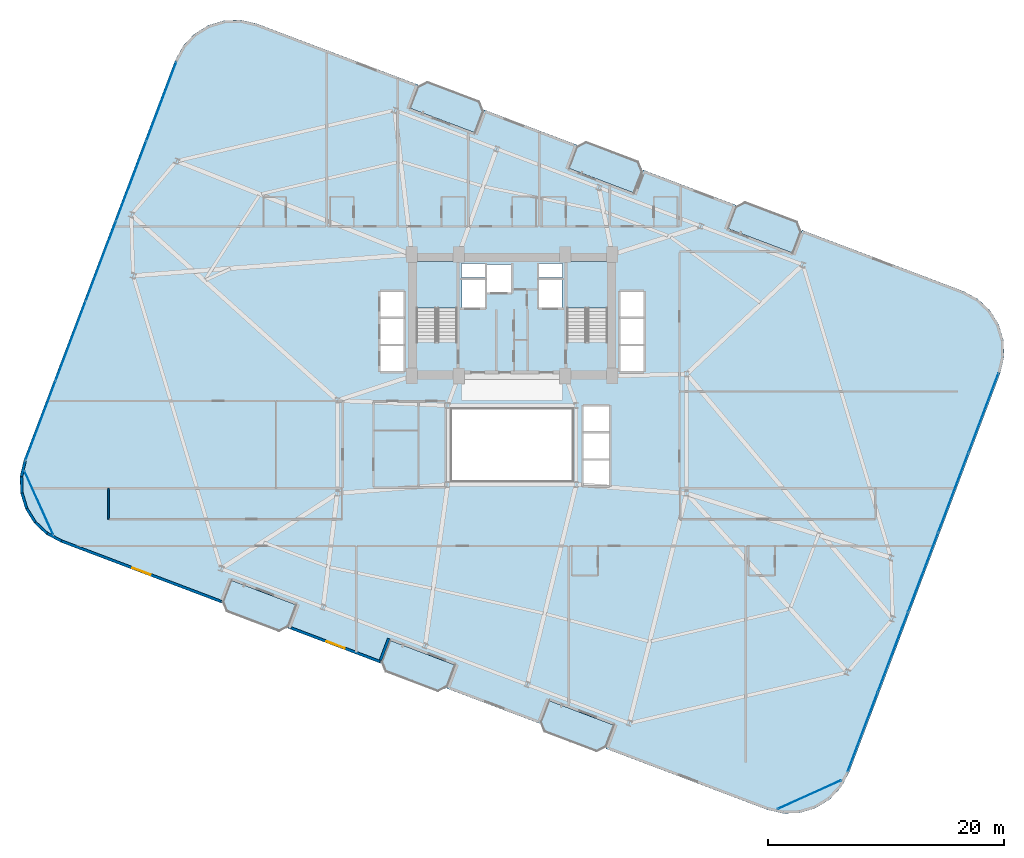
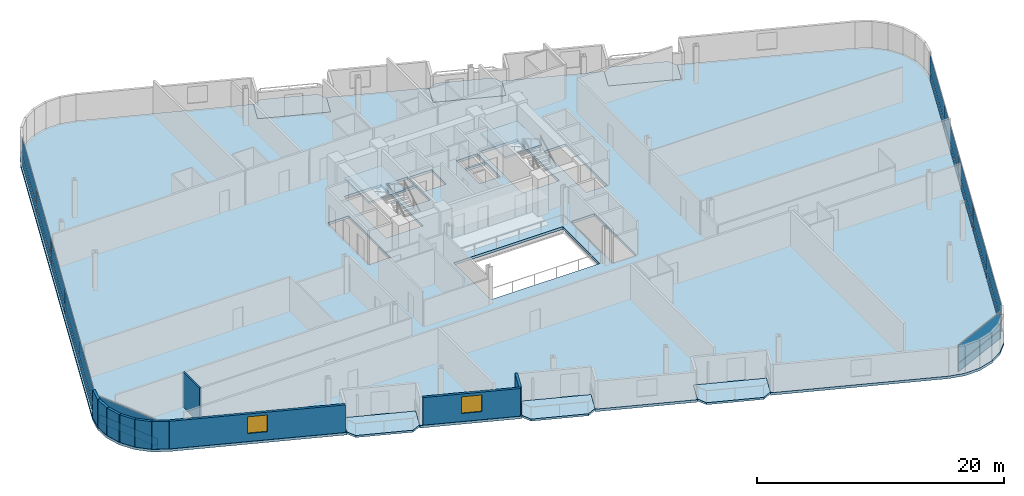
# One storey, part 17 of 25: 24 plates, 10 walls, 9 slabs, 2 windows, 2 openings, 6 elements without a shape of their own.
"""IFC4 building model written with IfcOpenShell, lengths in metres."""

from ifc_helpers import new_model, si_unit, direction, frame, frame_2d, origin, origin_2d, place, context, subcontext, project, spatial, polyline, rectangle, outline, extrude, source, transform, mapped, material, layer, layer_set, type_object, element, fill, aggregate, save


model = new_model("IFC4")

# Units and contexts
model_context = context("Model", 3, precision=1e-05, world=origin(), true_north=direction((0.0, 1.0)))
body_context = subcontext(model_context, "Body", "Model", "MODEL_VIEW")
ifc_project = project(units=[si_unit("LENGTHUNIT", "METRE"), si_unit("AREAUNIT", "SQUARE_METRE"), si_unit("VOLUMEUNIT", "CUBIC_METRE"), si_unit("PLANEANGLEUNIT", "RADIAN"), si_unit("MASSUNIT", "GRAM", prefix="KILO")], contexts=[model_context])

# Site, building, storey
site_placement = place(None, origin())
site = spatial("IfcSite", under=ifc_project, at=site_placement, CompositionType="ELEMENT")
building_placement = place(site_placement, origin())
building = spatial("IfcBuilding", under=site, at=building_placement, Name="Varnelok Gate Tower", CompositionType="ELEMENT")
storey_placement = place(building_placement, frame((0.0, 0.0, 91.0)))
storey = spatial("IfcBuildingStorey", under=building, at=storey_placement, Name="L22", CompositionType="ELEMENT", Elevation=91.0)

# Slabs
ifc_material_1 = material(Name="Concrete C45/55", Category="concrete")
ifc_layer_1 = layer(ifc_material_1, 0.199951171875)
ifc_layer_set_1 = layer_set([ifc_layer_1], Name="Concrete C45/55")
slab_type_1 = type_object("IfcSlabType", Name="SLB-BALC-200", PredefinedType="FLOOR", material=ifc_layer_set_1)
slab_1_placement = place(storey_placement, frame((0.0, 0.0, -0.199951171875)))
element("IfcSlab", 1, at=slab_1_placement, inside=storey, type_object=slab_type_1, Name="L22 South Hollow Balcony 1", PredefinedType="FLOOR", context=body_context, shape_type="SweptSolid", body=[
    extrude(outline(polyline([(14.64208984375, 9.576416015625), (15.019775390625, 8.738525390625), (19.415283203125, 7.074462890625), (20.25341796875, 7.4521484375), (20.96142578125, 9.322509765625), (15.35009765625, 11.447021484375), (14.64208984375, 9.576416015625)])), origin(), (0.0, 0.0, 1.0), 0.199951171875),
])
slab_2_placement = place(storey_placement, frame((0.0, 0.0, -0.199951171875)))
element("IfcSlab", 2, at=slab_2_placement, inside=storey, type_object=slab_type_1, Name="L22 South Hollow Balcony 2", PredefinedType="FLOOR", context=body_context, shape_type="SweptSolid", body=[
    extrude(outline(polyline([(28.109375, 4.47802734375), (28.487060546875, 3.639892578125), (32.882568359375, 1.975830078125), (33.720703125, 2.353515625), (34.4287109375, 4.22412109375), (28.8173828125, 6.348388671875), (28.109375, 4.47802734375)])), origin(), (0.0, 0.0, 1.0), 0.199951171875),
])
slab_3_placement = place(storey_placement, frame((0.0, 0.0, -0.199951171875)))
element("IfcSlab", 3, at=slab_3_placement, inside=storey, type_object=slab_type_1, Name="L22 South Hollow Balcony 3", PredefinedType="FLOOR", context=body_context, shape_type="SweptSolid", body=[
    extrude(outline(polyline([(41.576416015625, -0.62060546875), (41.9541015625, -1.45849609375), (46.349853515625, -3.12255859375), (47.187744140625, -2.744873046875), (47.89599609375, -0.87451171875), (42.28466796875, 1.25), (41.576416015625, -0.62060546875)])), origin(), (0.0, 0.0, 1.0), 0.199951171875),
])
slab_4_placement = place(storey_placement, frame((0.0, 0.0, -0.199951171875)))
element("IfcSlab", 4, at=slab_4_placement, inside=storey, type_object=slab_type_1, Name="L22 North Hollow Balcony 1", PredefinedType="FLOOR", context=body_context, shape_type="SweptSolid", body=[
    extrude(outline(polyline([(30.504150390625, 51.474365234375), (36.115478515625, 49.35009765625), (36.823486328125, 51.220458984375), (36.44580078125, 52.05859375), (32.05029296875, 53.72265625), (31.212158203125, 53.344970703125), (30.504150390625, 51.474365234375)])), origin(), (0.0, 0.0, 1.0), 0.199951171875),
])
slab_5_placement = place(storey_placement, frame((0.0, 0.0, -0.199951171875)))
element("IfcSlab", 5, at=slab_5_placement, inside=storey, type_object=slab_type_1, Name="L22 North Hollow Balcony 2", PredefinedType="FLOOR", context=body_context, shape_type="SweptSolid", body=[
    extrude(outline(polyline([(43.97119140625, 46.3759765625), (49.58251953125, 44.251708984375), (50.290771484375, 46.1220703125), (49.9130859375, 46.9599609375), (45.517333984375, 48.6240234375), (44.679443359375, 48.246337890625), (43.97119140625, 46.3759765625)])), origin(), (0.0, 0.0, 1.0), 0.199951171875),
])
slab_6_placement = place(storey_placement, frame((0.0, 0.0, -0.199951171875)))
element("IfcSlab", 6, at=slab_6_placement, inside=storey, type_object=slab_type_1, Name="L22 North Hollow Balcony 3", PredefinedType="FLOOR", context=body_context, shape_type="SweptSolid", body=[
    extrude(outline(polyline([(57.4384765625, 41.27734375), (63.0498046875, 39.153076171875), (63.7578125, 41.0234375), (63.380126953125, 41.861572265625), (58.984619140625, 43.525634765625), (58.146484375, 43.14794921875), (57.4384765625, 41.27734375)])), origin(), (0.0, 0.0, 1.0), 0.199951171875),
])

# Stair, slab
ifc_material_2 = material(Name="Concrete C50/60", Category="concrete")
stair_type = type_object("IfcStairType", Name="STR-CORE-1650", PredefinedType="HALF_TURN_STAIR", material=ifc_material_2)
stair_1_placement = place(storey_placement, origin())
stair_1 = element("IfcStair", 7, at=stair_1_placement, inside=storey, type_object=stair_type, Name="L22 Exit Stair ST-1", PredefinedType="HALF_TURN_STAIR")
ifc_layer_2 = layer(ifc_material_1, 0.199951171875)
ifc_layer_set_2 = layer_set([ifc_layer_2], Name="Concrete C45/55")
slab_type_2 = type_object("IfcSlabType", Name="SLB-LAND-200", PredefinedType="LANDING", material=ifc_layer_set_2)
slab_7_placement = place(storey_placement, frame((0.0, 0.0, 1.64990234375)))
slab_7 = element("IfcSlab", 8, at=slab_7_placement, type_object=slab_type_2, Name="ST-1 landing 1", PredefinedType="LANDING", context=body_context, shape_type="SweptSolid", body=[
    extrude(outline(polyline([(34.550048828125, 34.5), (34.550048828125, 38.449951171875), (31.10009765625, 38.449951171875), (31.10009765625, 34.5), (34.550048828125, 34.5)])), origin(), (0.0, 0.0, 1.0), 0.2001953125),
])
aggregate(stair_1, [slab_7])

stair_2_placement = place(storey_placement, origin())
stair_2 = element("IfcStair", 9, at=stair_2_placement, inside=storey, type_object=stair_type, Name="L22 Exit Stair ST-2", PredefinedType="HALF_TURN_STAIR")
slab_8_placement = place(storey_placement, frame((0.0, 0.0, 1.64990234375)))
slab_8 = element("IfcSlab", 10, at=slab_8_placement, type_object=slab_type_2, Name="ST-2 landing 1", PredefinedType="LANDING", context=body_context, shape_type="SweptSolid", body=[
    extrude(outline(polyline([(47.300048828125, 34.5), (47.300048828125, 38.449951171875), (43.85009765625, 38.449951171875), (43.85009765625, 34.5), (47.300048828125, 34.5)])), origin(), (0.0, 0.0, 1.0), 0.2001953125),
])
aggregate(stair_2, [slab_8])

# Slab
ifc_layer_3 = layer(ifc_material_2, 0.25)
ifc_layer_set_3 = layer_set([ifc_layer_3], Name="Concrete C50/60")
slab_type_3 = type_object("IfcSlabType", Name="SLB-TYP-250", PredefinedType="FLOOR", material=ifc_layer_set_3)
slab_9_placement = place(storey_placement, frame((0.0, 0.0, -0.25)))
element("IfcSlab", 11, at=slab_9_placement, inside=storey, type_object=slab_type_3, Name="L22 Structural Floor Slab", PredefinedType="FLOOR", context=body_context, shape_type="SweptSolid", body=[
    extrude(outline(polyline([(-2.185791015625, 21.614501953125), (-2.508544921875, 20.2421875), (-2.465087890625, 18.833251953125), (-2.05859375, 17.4833984375), (-1.31640625, 16.284912109375), (-0.28955078125, 15.319091796875), (0.952392578125, 14.65234375), (12.05029296875, 10.45068359375), (14.606689453125, 9.48291015625), (15.35009765625, 11.447021484375), (20.96142578125, 9.322509765625), (20.218017578125, 7.358642578125), (28.073974609375, 4.384521484375), (28.8173828125, 6.348388671875), (34.4287109375, 4.22412109375), (33.685302734375, 2.260009765625), (41.541015625, -0.714111328125), (42.28466796875, 1.25), (47.89599609375, -0.87451171875), (47.15234375, -2.83837890625), (49.708740234375, -3.80615234375), (60.806640625, -8.0078125), (62.1787109375, -8.33056640625), (63.587890625, -8.287109375), (64.937744140625, -7.880615234375), (66.13623046875, -7.138427734375), (67.101806640625, -6.111328125), (67.768798828125, -4.869384765625), (80.585693359375, 28.985595703125), (80.90869140625, 30.35791015625), (80.865234375, 31.766845703125), (80.45849609375, 33.11669921875), (79.716552734375, 34.315185546875), (78.689453125, 35.28076171875), (77.447509765625, 35.94775390625), (66.349609375, 40.1494140625), (63.793212890625, 41.116943359375), (63.0498046875, 39.153076171875), (57.4384765625, 41.27734375), (58.181884765625, 43.241455078125), (50.326171875, 46.215576171875), (49.58251953125, 44.251708984375), (43.97119140625, 46.3759765625), (44.71484375, 48.33984375), (36.85888671875, 51.31396484375), (36.115478515625, 49.35009765625), (30.504150390625, 51.474365234375), (31.24755859375, 53.4384765625), (28.69140625, 54.40625), (17.593505859375, 58.607666015625), (16.22119140625, 58.930419921875), (14.81201171875, 58.886962890625), (13.46240234375, 58.48046875), (12.263916015625, 57.73828125), (11.298095703125, 56.71142578125), (10.631103515625, 55.469482421875), (-2.185791015625, 21.614501953125)]), holes=[polyline([(34.550048828125, 31.679931640625), (34.550048828125, 38.449951171875), (31.10009765625, 38.449951171875), (31.10009765625, 31.679931640625), (34.550048828125, 31.679931640625)]), polyline([(47.300048828125, 31.679931640625), (47.300048828125, 38.449951171875), (43.85009765625, 38.449951171875), (43.85009765625, 31.679931640625), (47.300048828125, 31.679931640625)]), polyline([(34.949951171875, 34.550048828125), (36.89990234375, 34.550048828125), (36.89990234375, 36.89990234375), (34.949951171875, 36.89990234375), (34.949951171875, 34.550048828125)]), polyline([(41.5, 34.550048828125), (43.449951171875, 34.550048828125), (43.449951171875, 36.89990234375), (41.5, 36.89990234375), (41.5, 34.550048828125)]), polyline([(37.050048828125, 35.85009765625), (39.14990234375, 35.85009765625), (39.14990234375, 38.199951171875), (37.050048828125, 38.199951171875), (37.050048828125, 35.85009765625)]), polyline([(28.050048828125, 29.14990234375), (30.050048828125, 29.14990234375), (30.050048828125, 35.89990234375), (28.050048828125, 35.89990234375), (28.050048828125, 29.14990234375)]), polyline([(48.35009765625, 29.14990234375), (50.35009765625, 29.14990234375), (50.35009765625, 35.89990234375), (48.35009765625, 35.89990234375), (48.35009765625, 29.14990234375)]), polyline([(45.25, 19.449951171875), (47.449951171875, 19.449951171875), (47.449951171875, 26.199951171875), (45.25, 26.199951171875), (45.25, 19.449951171875)]), polyline([(34.919921875, 37.080078125), (36.89990234375, 37.080078125), (36.89990234375, 38.280029296875), (34.919921875, 38.280029296875), (34.919921875, 37.080078125)]), polyline([(41.5, 37.080078125), (43.47998046875, 37.080078125), (43.47998046875, 38.280029296875), (41.5, 38.280029296875), (41.5, 37.080078125)]), polyline([(34.10009765625, 19.89990234375), (44.300048828125, 19.89990234375), (44.300048828125, 25.89990234375), (34.10009765625, 25.89990234375), (34.10009765625, 19.89990234375)])]), origin(), (0.0, 0.0, 1.0), 0.25),
])

# Curtain wall, plates
ifc_material_3 = material(Name="Anodized Aluminum Alloy 6063-T6", Category="aluminium")
ifc_layer_4 = layer(ifc_material_3, 0.179931640625)
ifc_layer_set_4 = layer_set([ifc_layer_4], Name="Anodized Aluminum Alloy 6063-T6")
curtain_wall_type_1 = type_object("IfcCurtainWallType", Name="CW3-HOTEL-VISION", PredefinedType="USERDEFINED", material=ifc_layer_set_4)
curtain_wall_1_placement = place(storey_placement, origin())
curtain_wall_1 = element("IfcCurtainWall", 12, at=curtain_wall_1_placement, inside=storey, type_object=curtain_wall_type_1, Name="L22 West End Vision Curtain Wall", ObjectType="UNITISED CURTAIN WALL", PredefinedType="USERDEFINED")
ifc_material_4 = material(Name="Low-E Laminated Double Glazing IGU", Category="glass")
ifc_layer_5 = layer(ifc_material_4, 0.031982421875)
ifc_layer_set_5 = layer_set([ifc_layer_5], Name="Low-E Laminated Double Glazing IGU")
plate_type_1 = type_object("IfcPlateType", Name="CW-PNL-IGU32", PredefinedType="CURTAIN_PANEL", material=ifc_layer_set_5)
shared_shape_1 = source(origin(), body_context, "Body", "SweptSolid", [
    extrude(rectangle(XDim=7.142578125, YDim=0.031982421875, at=origin_2d()), origin(), (0.0, 0.0, 1.0), 0.802490234375),
])
plate_1_placement = place(storey_placement, frame((-0.767333984375, 24.965576171875, 0.06494140625), z_axis=(0.0, 0.0, 1.0), x_axis=(0.354063660545, 0.935221323688, 0.0)))
plate_1 = element("IfcPlate", 13, at=plate_1_placement, type_object=plate_type_1, Name="CW3 panel 1.1", PredefinedType="CURTAIN_PANEL", context=body_context, shape_type="MappedRepresentation", body=[
    mapped(shared_shape_1, transform((0.0, 0.0, 0.0), scale=1.0)),
])
plate_2_placement = place(storey_placement, frame((9.474853515625, 52.019287109375, 0.06494140625), z_axis=(0.0, 0.0, 1.0), x_axis=(0.354063660545, 0.935221323688, 0.0)))
plate_2 = element("IfcPlate", 14, at=plate_2_placement, type_object=plate_type_1, Name="CW3 panel 5.1", PredefinedType="CURTAIN_PANEL", context=body_context, shape_type="MappedRepresentation", body=[
    mapped(shared_shape_1, transform((0.0, 0.0, 0.0), scale=1.0)),
])

curtain_wall_2_placement = place(storey_placement, origin())
curtain_wall_2 = element("IfcCurtainWall", 15, at=curtain_wall_2_placement, inside=storey, type_object=curtain_wall_type_1, Name="L22 East End Vision Curtain Wall", ObjectType="UNITISED CURTAIN WALL", PredefinedType="USERDEFINED")
plate_3_placement = place(storey_placement, frame((79.16748046875, 25.634521484375, 0.06494140625), z_axis=(0.0, 0.0, 1.0), x_axis=(-0.354063660545, -0.935221323688, 0.0)))
plate_3 = element("IfcPlate", 16, at=plate_3_placement, type_object=plate_type_1, Name="CW3 panel 1.1", PredefinedType="CURTAIN_PANEL", context=body_context, shape_type="MappedRepresentation", body=[
    mapped(shared_shape_1, transform((0.0, 0.0, 0.0), scale=1.0)),
])
plate_4_placement = place(storey_placement, frame((68.92529296875, -1.419189453125, 0.06494140625), z_axis=(0.0, 0.0, 1.0), x_axis=(-0.354063660545, -0.935221323688, 0.0)))
plate_4 = element("IfcPlate", 17, at=plate_4_placement, type_object=plate_type_1, Name="CW3 panel 5.1", PredefinedType="CURTAIN_PANEL", context=body_context, shape_type="MappedRepresentation", body=[
    mapped(shared_shape_1, transform((0.0, 0.0, 0.0), scale=1.0)),
])

# Plate
shared_shape_2 = source(origin(), body_context, "Body", "SweptSolid", [
    extrude(rectangle(XDim=7.142578125, YDim=0.031982421875, at=origin_2d()), origin(), (0.0, 0.0, 1.0), 1.732421875),
])
plate_5_placement = place(storey_placement, frame((-0.767333984375, 24.965576171875, 0.9326171875), z_axis=(0.0, 0.0, 1.0), x_axis=(0.354063660545, 0.935221323688, 0.0)))
plate_5 = element("IfcPlate", 18, at=plate_5_placement, type_object=plate_type_1, Name="CW3 panel 1.2", PredefinedType="CURTAIN_PANEL", context=body_context, shape_type="MappedRepresentation", body=[
    mapped(shared_shape_2, transform((0.0, 0.0, 0.0), scale=1.0)),
])

plate_6_placement = place(storey_placement, frame((9.474853515625, 52.019287109375, 0.9326171875), z_axis=(0.0, 0.0, 1.0), x_axis=(0.354063660545, 0.935221323688, 0.0)))
plate_6 = element("IfcPlate", 19, at=plate_6_placement, type_object=plate_type_1, Name="CW3 panel 5.2", PredefinedType="CURTAIN_PANEL", context=body_context, shape_type="MappedRepresentation", body=[
    mapped(shared_shape_2, transform((0.0, 0.0, 0.0), scale=1.0)),
])

plate_7_placement = place(storey_placement, frame((79.16748046875, 25.634521484375, 0.9326171875), z_axis=(0.0, 0.0, 1.0), x_axis=(-0.354063660545, -0.935221323688, 0.0)))
plate_7 = element("IfcPlate", 20, at=plate_7_placement, type_object=plate_type_1, Name="CW3 panel 1.2", PredefinedType="CURTAIN_PANEL", context=body_context, shape_type="MappedRepresentation", body=[
    mapped(shared_shape_2, transform((0.0, 0.0, 0.0), scale=1.0)),
])

plate_8_placement = place(storey_placement, frame((68.92529296875, -1.419189453125, 0.9326171875), z_axis=(0.0, 0.0, 1.0), x_axis=(-0.354063660545, -0.935221323688, 0.0)))
plate_8 = element("IfcPlate", 21, at=plate_8_placement, type_object=plate_type_1, Name="CW3 panel 5.2", PredefinedType="CURTAIN_PANEL", context=body_context, shape_type="MappedRepresentation", body=[
    mapped(shared_shape_2, transform((0.0, 0.0, 0.0), scale=1.0)),
])

shared_shape_3 = source(origin(), body_context, "Body", "SweptSolid", [
    extrude(rectangle(XDim=7.175048828125, YDim=0.031982421875, at=origin_2d()), origin(), (0.0, 0.0, 1.0), 0.802490234375),
])
plate_9_placement = place(storey_placement, frame((1.790283203125, 31.721435546875, 0.06494140625), z_axis=(0.0, 0.0, 1.0), x_axis=(0.354063660545, 0.935221323688, 0.0)))
plate_9 = element("IfcPlate", 22, at=plate_9_placement, type_object=plate_type_1, Name="CW3 panel 2.1", PredefinedType="CURTAIN_PANEL", context=body_context, shape_type="MappedRepresentation", body=[
    mapped(shared_shape_3, transform((0.0, 0.0, 0.0), scale=1.0)),
])

plate_10_placement = place(storey_placement, frame((4.353759765625, 38.492431640625, 0.06494140625), z_axis=(0.0, 0.0, 1.0), x_axis=(0.354063660545, 0.935221323688, 0.0)))
plate_10 = element("IfcPlate", 23, at=plate_10_placement, type_object=plate_type_1, Name="CW3 panel 3.1", PredefinedType="CURTAIN_PANEL", context=body_context, shape_type="MappedRepresentation", body=[
    mapped(shared_shape_3, transform((0.0, 0.0, 0.0), scale=1.0)),
])

plate_11_placement = place(storey_placement, frame((6.9169921875, 45.263427734375, 0.06494140625), z_axis=(0.0, 0.0, 1.0), x_axis=(0.354063660545, 0.935221323688, 0.0)))
plate_11 = element("IfcPlate", 24, at=plate_11_placement, type_object=plate_type_1, Name="CW3 panel 4.1", PredefinedType="CURTAIN_PANEL", context=body_context, shape_type="MappedRepresentation", body=[
    mapped(shared_shape_3, transform((0.0, 0.0, 0.0), scale=1.0)),
])

plate_12_placement = place(storey_placement, frame((76.60986328125, 18.878662109375, 0.06494140625), z_axis=(0.0, 0.0, 1.0), x_axis=(-0.354063660545, -0.935221323688, 0.0)))
plate_12 = element("IfcPlate", 25, at=plate_12_placement, type_object=plate_type_1, Name="CW3 panel 2.1", PredefinedType="CURTAIN_PANEL", context=body_context, shape_type="MappedRepresentation", body=[
    mapped(shared_shape_3, transform((0.0, 0.0, 0.0), scale=1.0)),
])

plate_13_placement = place(storey_placement, frame((74.04638671875, 12.107666015625, 0.06494140625), z_axis=(0.0, 0.0, 1.0), x_axis=(-0.354063660545, -0.935221323688, 0.0)))
plate_13 = element("IfcPlate", 26, at=plate_13_placement, type_object=plate_type_1, Name="CW3 panel 3.1", PredefinedType="CURTAIN_PANEL", context=body_context, shape_type="MappedRepresentation", body=[
    mapped(shared_shape_3, transform((0.0, 0.0, 0.0), scale=1.0)),
])

plate_14_placement = place(storey_placement, frame((71.48291015625, 5.336669921875, 0.06494140625), z_axis=(0.0, 0.0, 1.0), x_axis=(-0.354063660545, -0.935221323688, 0.0)))
plate_14 = element("IfcPlate", 27, at=plate_14_placement, type_object=plate_type_1, Name="CW3 panel 4.1", PredefinedType="CURTAIN_PANEL", context=body_context, shape_type="MappedRepresentation", body=[
    mapped(shared_shape_3, transform((0.0, 0.0, 0.0), scale=1.0)),
])

shared_shape_4 = source(origin(), body_context, "Body", "SweptSolid", [
    extrude(rectangle(XDim=7.175048828125, YDim=0.031982421875, at=origin_2d()), origin(), (0.0, 0.0, 1.0), 1.732421875),
])
plate_15_placement = place(storey_placement, frame((1.790283203125, 31.721435546875, 0.9326171875), z_axis=(0.0, 0.0, 1.0), x_axis=(0.354063660545, 0.935221323688, 0.0)))
plate_15 = element("IfcPlate", 28, at=plate_15_placement, type_object=plate_type_1, Name="CW3 panel 2.2", PredefinedType="CURTAIN_PANEL", context=body_context, shape_type="MappedRepresentation", body=[
    mapped(shared_shape_4, transform((0.0, 0.0, 0.0), scale=1.0)),
])

plate_16_placement = place(storey_placement, frame((4.353759765625, 38.492431640625, 0.9326171875), z_axis=(0.0, 0.0, 1.0), x_axis=(0.354063660545, 0.935221323688, 0.0)))
plate_16 = element("IfcPlate", 29, at=plate_16_placement, type_object=plate_type_1, Name="CW3 panel 3.2", PredefinedType="CURTAIN_PANEL", context=body_context, shape_type="MappedRepresentation", body=[
    mapped(shared_shape_4, transform((0.0, 0.0, 0.0), scale=1.0)),
])

plate_17_placement = place(storey_placement, frame((6.9169921875, 45.263427734375, 0.9326171875), z_axis=(0.0, 0.0, 1.0), x_axis=(0.354063660545, 0.935221323688, 0.0)))
plate_17 = element("IfcPlate", 30, at=plate_17_placement, type_object=plate_type_1, Name="CW3 panel 4.2", PredefinedType="CURTAIN_PANEL", context=body_context, shape_type="MappedRepresentation", body=[
    mapped(shared_shape_4, transform((0.0, 0.0, 0.0), scale=1.0)),
])

aggregate(curtain_wall_1, [plate_1, plate_5, plate_9, plate_15, plate_10, plate_16, plate_11, plate_17, plate_2, plate_6])

plate_18_placement = place(storey_placement, frame((76.60986328125, 18.878662109375, 0.9326171875), z_axis=(0.0, 0.0, 1.0), x_axis=(-0.354063660545, -0.935221323688, 0.0)))
plate_18 = element("IfcPlate", 31, at=plate_18_placement, type_object=plate_type_1, Name="CW3 panel 2.2", PredefinedType="CURTAIN_PANEL", context=body_context, shape_type="MappedRepresentation", body=[
    mapped(shared_shape_4, transform((0.0, 0.0, 0.0), scale=1.0)),
])

plate_19_placement = place(storey_placement, frame((74.04638671875, 12.107666015625, 0.9326171875), z_axis=(0.0, 0.0, 1.0), x_axis=(-0.354063660545, -0.935221323688, 0.0)))
plate_19 = element("IfcPlate", 32, at=plate_19_placement, type_object=plate_type_1, Name="CW3 panel 3.2", PredefinedType="CURTAIN_PANEL", context=body_context, shape_type="MappedRepresentation", body=[
    mapped(shared_shape_4, transform((0.0, 0.0, 0.0), scale=1.0)),
])

plate_20_placement = place(storey_placement, frame((71.48291015625, 5.336669921875, 0.9326171875), z_axis=(0.0, 0.0, 1.0), x_axis=(-0.354063660545, -0.935221323688, 0.0)))
plate_20 = element("IfcPlate", 33, at=plate_20_placement, type_object=plate_type_1, Name="CW3 panel 4.2", PredefinedType="CURTAIN_PANEL", context=body_context, shape_type="MappedRepresentation", body=[
    mapped(shared_shape_4, transform((0.0, 0.0, 0.0), scale=1.0)),
])

aggregate(curtain_wall_2, [plate_3, plate_7, plate_12, plate_18, plate_13, plate_19, plate_14, plate_20, plate_4, plate_8])

# Curtain wall, plate
ifc_layer_6 = layer(ifc_material_3, 0.179931640625)
ifc_layer_set_6 = layer_set([ifc_layer_6], Name="Anodized Aluminum Alloy 6063-T6")
curtain_wall_type_2 = type_object("IfcCurtainWallType", Name="CW5-WINDCORNER-GLAZ", PredefinedType="USERDEFINED", material=ifc_layer_set_6)
curtain_wall_3_placement = place(storey_placement, origin())
curtain_wall_3 = element("IfcCurtainWall", 34, at=curtain_wall_3_placement, inside=storey, type_object=curtain_wall_type_2, Name="L22 Wind-Shaped Corner Curtain Wall SW", ObjectType="STRUCTURAL GLAZING", PredefinedType="USERDEFINED")
ifc_layer_7 = layer(ifc_material_4, 0.0419921875)
ifc_layer_set_7 = layer_set([ifc_layer_7], Name="Low-E Laminated Double Glazing IGU")
plate_type_2 = type_object("IfcPlateType", Name="CW-PNL-SPN42", PredefinedType="CURTAIN_PANEL", material=ifc_layer_set_7)
shared_shape_5 = source(origin(), body_context, "Body", "SweptSolid", [
    extrude(rectangle(XDim=5.8662109375, YDim=0.0419921875, at=origin_2d()), origin(), (0.0, 0.0, 1.0), 0.802490234375),
])
plate_21_placement = place(storey_placement, frame((-0.913330078125, 17.999755859375, 0.06494140625), z_axis=(0.0, 0.0, 1.0), x_axis=(0.410937369038, -0.911663577603, 0.0)))
plate_21 = element("IfcPlate", 35, at=plate_21_placement, type_object=plate_type_2, Name="CW5 panel 1.1", PredefinedType="CURTAIN_PANEL", context=body_context, shape_type="MappedRepresentation", body=[
    mapped(shared_shape_5, transform((0.0, 0.0, 0.0), scale=1.0)),
])

curtain_wall_4_placement = place(storey_placement, origin())
curtain_wall_4 = element("IfcCurtainWall", 36, at=curtain_wall_4_placement, inside=storey, type_object=curtain_wall_type_2, Name="L22 Wind-Shaped Corner Curtain Wall SE", ObjectType="STRUCTURAL GLAZING", PredefinedType="USERDEFINED")
plate_22_placement = place(storey_placement, frame((64.42138671875, -6.735107421875, 0.06494140625), z_axis=(0.0, 0.0, 1.0), x_axis=(0.911660761306, 0.41094361693, 0.0)))
plate_22 = element("IfcPlate", 37, at=plate_22_placement, type_object=plate_type_2, Name="CW5 panel 1.1", PredefinedType="CURTAIN_PANEL", context=body_context, shape_type="MappedRepresentation", body=[
    mapped(shared_shape_5, transform((0.0, 0.0, 0.0), scale=1.0)),
])

# Plate
shared_shape_6 = source(origin(), body_context, "Body", "SweptSolid", [
    extrude(rectangle(XDim=5.8662109375, YDim=0.0419921875, at=origin_2d()), origin(), (0.0, 0.0, 1.0), 1.732421875),
])
plate_23_placement = place(storey_placement, frame((-0.913330078125, 17.999755859375, 0.9326171875), z_axis=(0.0, 0.0, 1.0), x_axis=(0.410937369038, -0.911663577603, 0.0)))
plate_23 = element("IfcPlate", 38, at=plate_23_placement, type_object=plate_type_2, Name="CW5 panel 1.2", PredefinedType="CURTAIN_PANEL", context=body_context, shape_type="MappedRepresentation", body=[
    mapped(shared_shape_6, transform((0.0, 0.0, 0.0), scale=1.0)),
])

aggregate(curtain_wall_3, [plate_21, plate_23])

plate_24_placement = place(storey_placement, frame((64.42138671875, -6.735107421875, 0.9326171875), z_axis=(0.0, 0.0, 1.0), x_axis=(0.911660761306, 0.41094361693, 0.0)))
plate_24 = element("IfcPlate", 39, at=plate_24_placement, type_object=plate_type_2, Name="CW5 panel 1.2", PredefinedType="CURTAIN_PANEL", context=body_context, shape_type="MappedRepresentation", body=[
    mapped(shared_shape_6, transform((0.0, 0.0, 0.0), scale=1.0)),
])

aggregate(curtain_wall_4, [plate_22, plate_24])

# Walls
ifc_layer_8 = layer(ifc_material_1, 0.219970703125)
ifc_layer_set_8 = layer_set([ifc_layer_8], Name="Concrete C45/55")
wall_type_1 = type_object("IfcWallType", Name="EW-BALC-220", PredefinedType="SOLIDWALL", material=ifc_layer_set_8)
wall_1_placement = place(storey_placement, frame((-2.072509765625, 21.571533203125, 0.0), z_axis=(0.0, 0.0, 1.0), x_axis=(-0.229049207401, -0.973414845063, 0.0)))
element("IfcWall", 40, at=wall_1_placement, inside=storey, type_object=wall_type_1, Name="L22 Perimeter Facade Closure Wall 1", PredefinedType="SOLIDWALL", context=body_context, shape_type="SweptSolid", body=[
    extrude(rectangle(XDim=1.378173828125, YDim=0.219970703125, at=frame_2d((0.68896484375, 0.0))), origin(), (0.0, 0.0, 1.0), 2.72998046875),
])
wall_2_placement = place(storey_placement, frame((-2.387451171875, 20.205078125, 0.0), z_axis=(0.0, 0.0, 1.0), x_axis=(0.030857297317, -0.999523800218, 0.0)))
element("IfcWall", 41, at=wall_2_placement, inside=storey, type_object=wall_type_1, Name="L22 Perimeter Facade Closure Wall 2", PredefinedType="SOLIDWALL", context=body_context, shape_type="SweptSolid", body=[
    extrude(rectangle(XDim=1.35302734375, YDim=0.219970703125, at=frame_2d((0.676513671875, 0.0))), origin(), (0.0, 0.0, 1.0), 2.72998046875),
])
wall_3_placement = place(storey_placement, frame((-2.33837890625, 18.82861328125, 0.0), z_axis=(0.0, 0.0, 1.0), x_axis=(0.288374187109, -0.957517795244, 0.0)))
element("IfcWall", 42, at=wall_3_placement, inside=storey, type_object=wall_type_1, Name="L22 Perimeter Facade Closure Wall 3", PredefinedType="SOLIDWALL", context=body_context, shape_type="SweptSolid", body=[
    extrude(rectangle(XDim=1.352783203125, YDim=0.219970703125, at=frame_2d((0.67626953125, 0.0))), origin(), (0.0, 0.0, 1.0), 2.72998046875),
])
wall_4_placement = place(storey_placement, frame((-1.93505859375, 17.511962890625, 0.0), z_axis=(0.0, 0.0, 1.0), x_axis=(0.526360826676, -0.850261301096, 0.0)))
element("IfcWall", 43, at=wall_4_placement, inside=storey, type_object=wall_type_1, Name="L22 Perimeter Facade Closure Wall 4", PredefinedType="SOLIDWALL", context=body_context, shape_type="SweptSolid", body=[
    extrude(rectangle(XDim=1.35302734375, YDim=0.219970703125, at=frame_2d((0.676513671875, 0.0))), origin(), (0.0, 0.0, 1.0), 2.72998046875),
])
wall_5_placement = place(storey_placement, frame((-1.20458984375, 16.344482421875, 0.0), z_axis=(0.0, 0.0, 1.0), x_axis=(0.7285124142, -0.685032599484, 0.0)))
element("IfcWall", 44, at=wall_5_placement, inside=storey, type_object=wall_type_1, Name="L22 Perimeter Facade Closure Wall 5", PredefinedType="SOLIDWALL", context=body_context, shape_type="SweptSolid", body=[
    extrude(rectangle(XDim=1.353271484375, YDim=0.219970703125, at=frame_2d((0.6767578125, 0.0))), origin(), (0.0, 0.0, 1.0), 2.72998046875),
])
wall_6_placement = place(storey_placement, frame((-0.19677734375, 15.405517578125, 0.0), z_axis=(0.0, 0.0, 1.0), x_axis=(0.881023507585, -0.47307248819, 0.0)))
element("IfcWall", 45, at=wall_6_placement, inside=storey, type_object=wall_type_1, Name="L22 Perimeter Facade Closure Wall 6", PredefinedType="SOLIDWALL", context=body_context, shape_type="SweptSolid", body=[
    extrude(rectangle(XDim=1.36083984375, YDim=0.219970703125, at=frame_2d((0.680419921875, 0.0))), origin(), (0.0, 0.0, 1.0), 2.72998046875),
])

# Wall, opening, window
wall_7_placement = place(storey_placement, frame((1.025634765625, 14.7529296875, 0.0), z_axis=(0.0, 0.0, 1.0), x_axis=(0.935222448475, -0.354060689526, 0.0)))
wall_7 = element("IfcWall", 46, at=wall_7_placement, inside=storey, type_object=wall_type_1, Name="L22 Perimeter Facade Closure Wall 7", PredefinedType="SOLIDWALL", context=body_context, shape_type="SweptSolid", body=[
    extrude(rectangle(XDim=14.447265625, YDim=0.219970703125, at=frame_2d((7.2236328125, 0.0))), origin(), (0.0, 0.0, 1.0), 2.72998046875),
])
opening_1_placement = place(wall_7_placement, frame((6.398681640625, 0.0, 0.800048828125)))
opening_1 = element("IfcOpeningElement", 47, at=opening_1_placement, cuts=wall_7, Name="Opening WN3", PredefinedType="OPENING", context=body_context, shape_type="SweptSolid", body=[
    extrude(rectangle(XDim=1.64990234375, YDim=1.64990234375, at=frame_2d((0.824951171875, 0.824951171875))), frame((0.0, 0.119873046875, 0.0), z_axis=(0.0, -1.0, 0.0), x_axis=(1.0, 0.0, 0.0)), (0.0, 0.0, 1.0), 0.239990234375),
])
window_type = type_object("IfcWindowType", Name="WN-HTL-1650", PartitioningType="SINGLE_PANEL", PredefinedType="WINDOW", material=ifc_material_4)
window_1_placement = place(opening_1_placement, origin())
window_1 = element("IfcWindow", 48, at=window_1_placement, inside=storey, type_object=window_type, Name="L22 Perimeter Vision Window 7", OverallHeight=1.64990234375, OverallWidth=1.64990234375, PartitioningType="SINGLE_PANEL", PredefinedType="WINDOW", context=body_context, shape_type="SweptSolid", body=[
    extrude(rectangle(XDim=1.64990234375, YDim=1.64990234375, at=frame_2d((0.824951171875, 0.824951171875))), frame((0.0, 0.030029296875, 0.0), z_axis=(0.0, -1.0, 0.0), x_axis=(1.0, 0.0, 0.0)), (0.0, 0.0, 1.0), 0.06005859375),
])
fill(opening_1, window_1)

wall_8_placement = place(storey_placement, frame((20.489501953125, 7.384033203125, 0.0), z_axis=(0.0, 0.0, 1.0), x_axis=(0.935230796934, -0.354038636968, 0.0)))
wall_8 = element("IfcWall", 49, at=wall_8_placement, inside=storey, type_object=wall_type_1, Name="L22 Perimeter Facade Closure Wall 10", PredefinedType="SOLIDWALL", context=body_context, shape_type="SweptSolid", body=[
    extrude(rectangle(XDim=8.03515625, YDim=0.219970703125, at=frame_2d((4.017578125, 0.0))), origin(), (0.0, 0.0, 1.0), 2.72998046875),
])
opening_2_placement = place(wall_8_placement, frame((3.1923828125, 0.0, 0.800048828125)))
opening_2 = element("IfcOpeningElement", 50, at=opening_2_placement, cuts=wall_8, Name="Opening WN3", PredefinedType="OPENING", context=body_context, shape_type="SweptSolid", body=[
    extrude(rectangle(XDim=1.64990234375, YDim=1.64990234375, at=frame_2d((0.824951171875, 0.824951171875))), frame((0.0, 0.119873046875, 0.0), z_axis=(0.0, -1.0, 0.0), x_axis=(1.0, 0.0, 0.0)), (0.0, 0.0, 1.0), 0.239990234375),
])
window_2_placement = place(opening_2_placement, origin())
window_2 = element("IfcWindow", 51, at=window_2_placement, inside=storey, type_object=window_type, Name="L22 Perimeter Vision Window 10", OverallHeight=1.64990234375, OverallWidth=1.64990234375, PartitioningType="SINGLE_PANEL", PredefinedType="WINDOW", context=body_context, shape_type="SweptSolid", body=[
    extrude(rectangle(XDim=1.64990234375, YDim=1.64990234375, at=frame_2d((0.824951171875, 0.824951171875))), frame((0.0, 0.030029296875, 0.0), z_axis=(0.0, -1.0, 0.0), x_axis=(1.0, 0.0, 0.0)), (0.0, 0.0, 1.0), 0.06005859375),
])
fill(opening_2, window_2)

# Walls
wall_9_placement = place(storey_placement, frame((28.04833984375, 4.656005859375, 0.0), z_axis=(0.0, 0.0, 1.0), x_axis=(0.354128791944, 0.935196663123, 0.0)))
element("IfcWall", 52, at=wall_9_placement, inside=storey, type_object=wall_type_1, Name="L22 Perimeter Facade Closure Wall 11", PredefinedType="SOLIDWALL", context=body_context, shape_type="SweptSolid", body=[
    extrude(rectangle(XDim=1.97509765625, YDim=0.219970703125, at=frame_2d((0.987548828125, 0.0))), origin(), (0.0, 0.0, 1.0), 2.72998046875),
])
ifc_material_5 = material(Name="Gypsum Plasterboard Acoustic Partition", Category="gypsum")
ifc_layer_9 = layer(ifc_material_5, 0.125)
ifc_layer_set_9 = layer_set([ifc_layer_9], Name="Gypsum Plasterboard Acoustic Partition")
wall_type_2 = type_object("IfcWallType", Name="PW-PART-125", PredefinedType="PARTITIONING", material=ifc_layer_set_9)
wall_10_placement = place(storey_placement, frame((5.0, 16.610107421875, 0.0), z_axis=(0.0, 0.0, 1.0), x_axis=(0.0, 1.0, 0.0)))
element("IfcWall", 53, at=wall_10_placement, inside=storey, type_object=wall_type_2, Name="Interior Partition", PredefinedType="PARTITIONING", context=body_context, shape_type="SweptSolid", body=[
    extrude(rectangle(XDim=2.6298828125, YDim=0.125, at=frame_2d((1.31494140625, 0.0))), origin(), (0.0, 0.0, 1.0), 3.449951171875),
])

save(model, "model.ifc")
